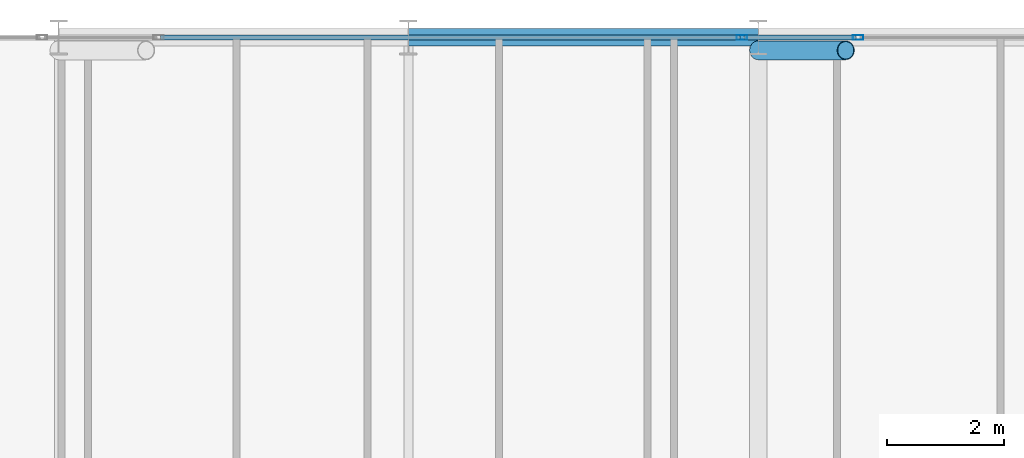
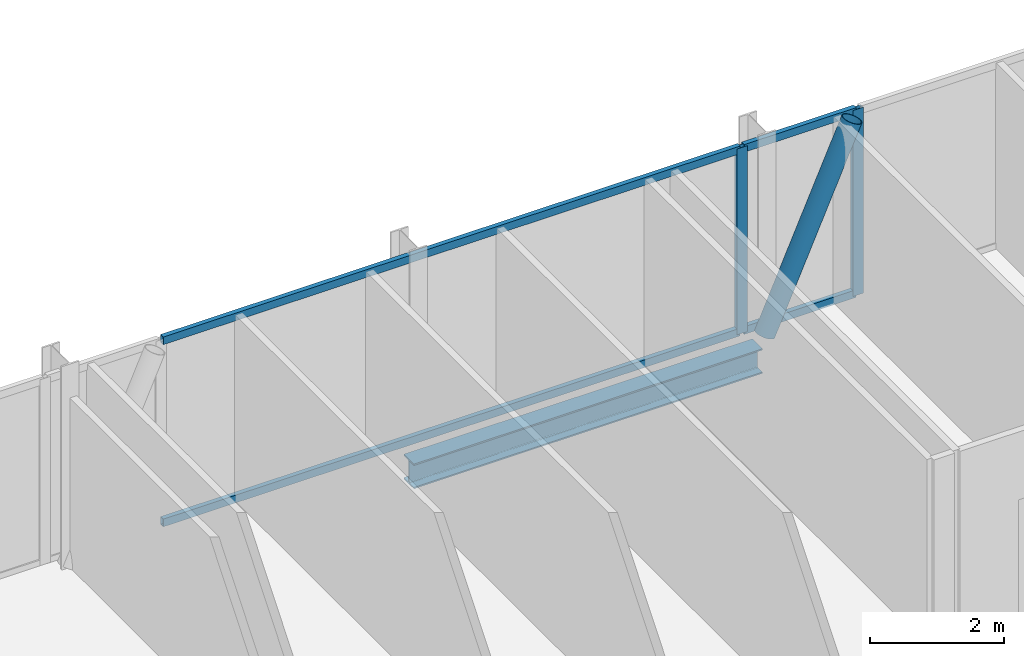
# One storey, part 17 of 30: 7 members, 1 beam, 2 elements without a shape of their own.
"""IFC4 building model written with IfcOpenShell, lengths in metres."""

from ifc_helpers import new_model, si_unit, direction, frame, origin, origin_2d, place, context, subcontext, project, spatial, hollow_rectangle, hollow_circle, i_section, extrude, material, layer, layer_set, material_profile, profile_set, type_object, element, aggregate, save


model = new_model("IFC4")

# Units and contexts
model_context = context("Model", 3, precision=1e-05, world=origin(), true_north=direction((0.0, 1.0)))
body_context = subcontext(model_context, "Body", "Model", "MODEL_VIEW")
ifc_project = project(units=[si_unit("LENGTHUNIT", "METRE"), si_unit("AREAUNIT", "SQUARE_METRE"), si_unit("VOLUMEUNIT", "CUBIC_METRE"), si_unit("PLANEANGLEUNIT", "RADIAN"), si_unit("MASSUNIT", "GRAM", prefix="KILO")], contexts=[model_context])

# Site, building, storey
site_placement = place(None, origin())
site = spatial("IfcSite", under=ifc_project, at=site_placement, CompositionType="ELEMENT")
building_placement = place(site_placement, origin())
building = spatial("IfcBuilding", under=site, at=building_placement, Name="Keshet Zoharim Tower", CompositionType="ELEMENT")
storey_placement = place(building_placement, frame((0.0, 0.0, 113.10009765625)))
storey = spatial("IfcBuildingStorey", under=building, at=storey_placement, Name="L27", CompositionType="ELEMENT", Elevation=113.10009765625)

# Beam
ifc_material_1 = material(Name="Steel S355", Category="steel")
ifc_material_profile_1 = material_profile(ifc_material_1, i_section(OverallWidth=0.300048828125, OverallDepth=0.449951171875, WebThickness=0.013916015625, FlangeThickness=0.02587890625, FilletRadius=0.027099609375, at=origin_2d()), Name="HEB450")
ifc_profile_set_1 = profile_set([ifc_material_profile_1], Name="Steel S355")
beam_type = type_object("IfcBeamType", Name="BM-WEB-HB450", PredefinedType="BEAM", material=ifc_profile_set_1)
beam_placement = place(storey_placement, frame((27.0, 53.89990234375, -0.5400390625), z_axis=(1.0, 0.0, 0.0), x_axis=(0.0, 1.0, 0.0)))
element("IfcBeam", 1, at=beam_placement, inside=storey, type_object=beam_type, Name="L27 Primary Girder X-020", PredefinedType="BEAM", context=body_context, shape_type="SweptSolid", body=[
    extrude(i_section(OverallWidth=0.300048828125, OverallDepth=0.449951171875, WebThickness=0.013916015625, FlangeThickness=0.02587890625, FilletRadius=0.027099609375, at=origin_2d()), origin(), (0.0, 0.0, 1.0), 6.0),
])

# Curtain wall, member
ifc_material_2 = material(Name="Aluminium 6063-T6", Category="aluminium")
ifc_layer = layer(ifc_material_2, 0.159912109375)
ifc_layer_set = layer_set([ifc_layer], Name="Aluminium 6063-T6")
curtain_wall_type = type_object("IfcCurtainWallType", Name="CW-SYS-03", PredefinedType="NOTDEFINED", material=ifc_layer_set)
curtain_wall_1_placement = place(storey_placement, origin())
curtain_wall_1 = element("IfcCurtainWall", 2, at=curtain_wall_1_placement, inside=storey, type_object=curtain_wall_type, Name="L27 Unitised Curtain Wall 13 Part 3", PredefinedType="NOTDEFINED")
ifc_material_profile_2 = material_profile(ifc_material_2, hollow_rectangle(XDim=0.080078125, YDim=0.179931640625, WallThickness=0.00439453125, at=origin_2d()), Name="MUL-80x180")
ifc_profile_set_2 = profile_set([ifc_material_profile_2], Name="Aluminium 6063-T6")
member_type_1 = type_object("IfcMemberType", Name="CWM-M18", PredefinedType="MULLION", material=ifc_profile_set_2)
member_1_placement = place(storey_placement, frame((32.716796875, 53.89990234375, 0.0), z_axis=(0.0, 0.0, 1.0), x_axis=(0.0, 1.0, 0.0)))
member_1 = element("IfcMember", 3, at=member_1_placement, type_object=member_type_1, Name="CW-03 mullion 2", PredefinedType="MULLION", context=body_context, shape_type="SweptSolid", body=[
    extrude(hollow_rectangle(XDim=0.080078125, YDim=0.179931640625, WallThickness=0.00439453125, at=origin_2d()), origin(), (0.0, 0.0, 1.0), 3.385009765625),
])

curtain_wall_2_placement = place(storey_placement, origin())
curtain_wall_2 = element("IfcCurtainWall", 4, at=curtain_wall_2_placement, inside=storey, type_object=curtain_wall_type, Name="L27 Unitised Curtain Wall 13 Part 4", PredefinedType="NOTDEFINED")
member_2_placement = place(storey_placement, frame((34.713134765625, 53.89990234375, 0.0), z_axis=(0.0, 0.0, 1.0), x_axis=(0.0, 1.0, 0.0)))
member_2 = element("IfcMember", 5, at=member_2_placement, type_object=member_type_1, Name="CW-03 mullion 2", PredefinedType="MULLION", context=body_context, shape_type="SweptSolid", body=[
    extrude(hollow_rectangle(XDim=0.080078125, YDim=0.179931640625, WallThickness=0.00439453125, at=origin_2d()), origin(), (0.0, 0.0, 1.0), 3.385009765625),
])

# Member
ifc_material_profile_3 = material_profile(ifc_material_2, hollow_rectangle(XDim=0.080078125, YDim=0.139892578125, WallThickness=0.00390625, at=origin_2d()), Name="TRN-80x140")
ifc_profile_set_3 = profile_set([ifc_material_profile_3], Name="Aluminium 6063-T6")
member_type_2 = type_object("IfcMemberType", Name="CWT-T14", PredefinedType="USERDEFINED", material=ifc_profile_set_3)
member_3_placement = place(storey_placement, frame((22.748046875, 53.89990234375, 0.034912109375), z_axis=(1.0, 0.0, 0.0), x_axis=(0.0, 1.0, 0.0)))
member_3 = element("IfcMember", 6, at=member_3_placement, type_object=member_type_2, Name="CW-03 transom 1.1", ObjectType="TRANSOM", PredefinedType="USERDEFINED", context=body_context, shape_type="SweptSolid", body=[
    extrude(hollow_rectangle(XDim=0.080078125, YDim=0.139892578125, WallThickness=0.00390625, at=origin_2d()), origin(), (0.0, 0.0, 1.0), 9.933837890625),
])

member_4_placement = place(storey_placement, frame((22.748046875, 53.89990234375, 3.349853515625), z_axis=(1.0, 0.0, 0.0), x_axis=(0.0, 1.0, 0.0)))
member_4 = element("IfcMember", 7, at=member_4_placement, type_object=member_type_2, Name="CW-03 transom 1.2", ObjectType="TRANSOM", PredefinedType="USERDEFINED", context=body_context, shape_type="SweptSolid", body=[
    extrude(hollow_rectangle(XDim=0.080078125, YDim=0.139892578125, WallThickness=0.00390625, at=origin_2d()), origin(), (0.0, 0.0, 1.0), 9.933837890625),
])

aggregate(curtain_wall_1, [member_1, member_3, member_4])

member_5_placement = place(storey_placement, frame((32.751953125, 53.89990234375, 0.034912109375), z_axis=(1.0, 0.0, 0.0), x_axis=(0.0, 1.0, 0.0)))
member_5 = element("IfcMember", 8, at=member_5_placement, type_object=member_type_2, Name="CW-03 transom 1.1", ObjectType="TRANSOM", PredefinedType="USERDEFINED", context=body_context, shape_type="SweptSolid", body=[
    extrude(hollow_rectangle(XDim=0.080078125, YDim=0.139892578125, WallThickness=0.00390625, at=origin_2d()), origin(), (0.0, 0.0, 1.0), 1.926025390625),
])

member_6_placement = place(storey_placement, frame((32.751953125, 53.89990234375, 3.349853515625), z_axis=(1.0, 0.0, 0.0), x_axis=(0.0, 1.0, 0.0)))
member_6 = element("IfcMember", 9, at=member_6_placement, type_object=member_type_2, Name="CW-03 transom 1.2", ObjectType="TRANSOM", PredefinedType="USERDEFINED", context=body_context, shape_type="SweptSolid", body=[
    extrude(hollow_rectangle(XDim=0.080078125, YDim=0.139892578125, WallThickness=0.00390625, at=origin_2d()), origin(), (0.0, 0.0, 1.0), 1.926025390625),
])

aggregate(curtain_wall_2, [member_2, member_5, member_6])

ifc_material_profile_4 = material_profile(ifc_material_1, hollow_circle(Radius=0.161865234375, WallThickness=0.012451171875, at=origin_2d()), Name="CHS323x12.5")
ifc_profile_set_4 = profile_set([ifc_material_profile_4], Name="Steel S355")
member_type_3 = type_object("IfcMemberType", Name="MB-BR-C323", PredefinedType="BRACE", material=ifc_profile_set_4)
member_7_placement = place(storey_placement, frame((33.0, 53.679931640625, 0.0), z_axis=(0.405134846829, 0.0, 0.91425694194), x_axis=(0.0, 1.0, 0.0)))
element("IfcMember", 10, at=member_7_placement, inside=storey, type_object=member_type_3, Name="L27 Perimeter Tube Brace 03", PredefinedType="BRACE", context=body_context, shape_type="SweptSolid", body=[
    extrude(hollow_circle(Radius=0.161865234375, WallThickness=0.012451171875, at=origin_2d()), origin(), (0.0, 0.0, 1.0), 3.702392578125),
])

save(model, "model.ifc")
